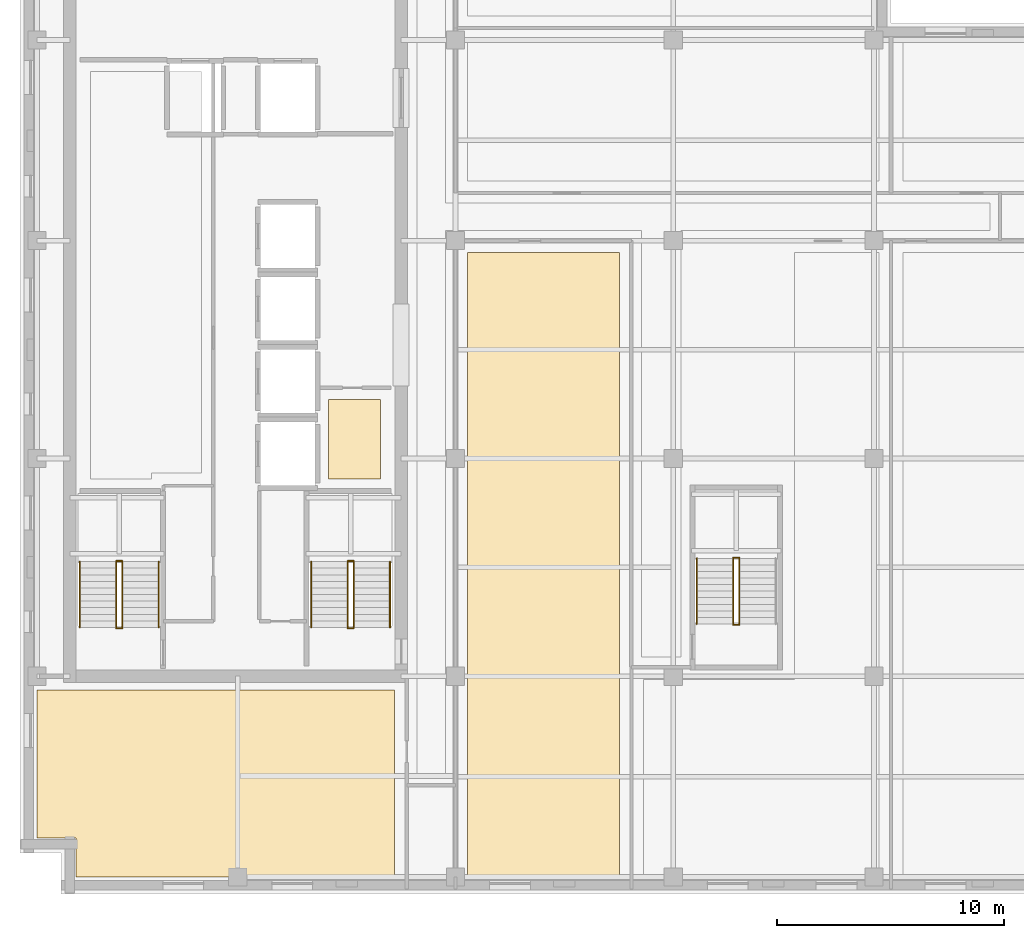
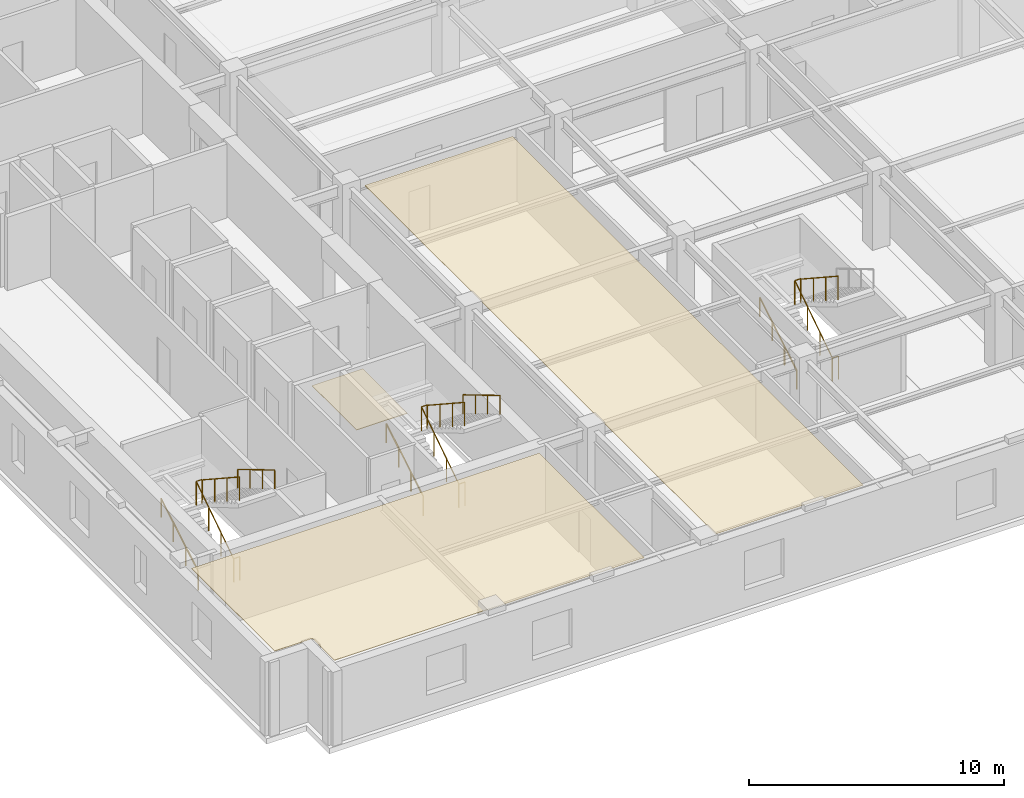
# One storey, part 8 of 12: 17 railings, 3 coverings.
"""IFC4 building model written with IfcOpenShell, lengths in metres."""

from ifc_helpers import new_model, si_unit, direction, frame, origin, origin_2d, place, context, subcontext, project, spatial, polyline, circle, outline, extrude, material, layer, layer_set, type_object, element, save


model = new_model("IFC4")

# Units and contexts
model_context = context("Model", 3, precision=1e-05, world=origin(), true_north=direction((0.0, 1.0)))
body_context = subcontext(model_context, "Body", "Model", "MODEL_VIEW")
ifc_project = project(units=[si_unit("LENGTHUNIT", "METRE"), si_unit("AREAUNIT", "SQUARE_METRE"), si_unit("VOLUMEUNIT", "CUBIC_METRE"), si_unit("PLANEANGLEUNIT", "RADIAN"), si_unit("MASSUNIT", "GRAM", prefix="KILO")], contexts=[model_context])

# Site, building, storey
site_placement = place(None, origin())
site = spatial("IfcSite", under=ifc_project, at=site_placement, CompositionType="ELEMENT")
building_placement = place(site_placement, origin())
building = spatial("IfcBuilding", under=site, at=building_placement, Name="Norrvale University Quadrangle", CompositionType="ELEMENT")
storey_placement = place(building_placement, frame((0.0, 0.0, 244.60009765625)))
storey = spatial("IfcBuildingStorey", under=building, at=storey_placement, Name="L62", CompositionType="ELEMENT", Elevation=244.60009765625)

# Coverings
ifc_material_1 = material(Name="Perforated Acoustic Mineral Ceiling")
ifc_layer_1 = layer(ifc_material_1, 0.02490234375, Name="Perforated Acoustic Mineral Ceiling")
ifc_layer_set_1 = layer_set([ifc_layer_1], Name="Perforated Acoustic Mineral Ceiling")
covering_type_1 = type_object("IfcCoveringType", Name="Covering Acoustic Ceiling 25", PredefinedType="CEILING", material=ifc_layer_set_1)
covering_1_placement = place(storey_placement, frame((0.0, 0.0, 3.514892578125)))
element("IfcCovering", 1, at=covering_1_placement, inside=storey, type_object=covering_type_1, Name="Acoustic Ceiling RM-L62-SW1", PredefinedType="CEILING", context=body_context, shape_type="SweptSolid", body=[
    extrude(outline(polyline([(0.75, 9.0), (16.5, 9.0), (16.5, 0.75), (2.469970703125, 0.75), (2.469970703125, 2.469970703125), (0.75, 2.469970703125), (0.75, 9.0)])), origin(), (0.0, 0.0, 1.0), 0.02490234375),
])
covering_2_placement = place(storey_placement, frame((0.0, 0.0, 3.514892578125)))
element("IfcCovering", 2, at=covering_2_placement, inside=storey, type_object=covering_type_1, Name="Acoustic Ceiling RM-L62-SE1", PredefinedType="CEILING", context=body_context, shape_type="SweptSolid", body=[
    extrude(outline(polyline([(19.72998046875, 28.27001953125), (26.419921875, 28.27001953125), (26.419921875, 0.75), (19.72998046875, 0.75), (19.72998046875, 28.27001953125)])), origin(), (0.0, 0.0, 1.0), 0.02490234375),
])
ifc_material_2 = material(Name="Polished Terrazzo Flooring")
ifc_layer_2 = layer(ifc_material_2, 0.02490234375, Name="Polished Terrazzo Flooring")
ifc_layer_set_2 = layer_set([ifc_layer_2], Name="Polished Terrazzo Flooring")
covering_type_2 = type_object("IfcCoveringType", Name="Covering Terrazzo Floor 30", PredefinedType="FLOORING", material=ifc_layer_set_2)
covering_3_placement = place(storey_placement, origin())
element("IfcCovering", 3, at=covering_3_placement, inside=storey, type_object=covering_type_2, Name="Terrazzo Flooring RM-L62-JAN", PredefinedType="FLOORING", context=body_context, shape_type="SweptSolid", body=[
    extrude(outline(polyline([(13.60009765625, 18.300048828125), (13.60009765625, 21.800048828125), (15.89990234375, 21.800048828125), (15.89990234375, 18.300048828125), (13.60009765625, 18.300048828125)])), origin(), (0.0, 0.0, 1.0), 0.02490234375),
])

# Railings
ifc_material_3 = material(Name="Steel 350W Painted Balustrade", Category="steel")
railing_type_1 = type_object("IfcRailingType", Name="Railing Stair Guard 1100", PredefinedType="GUARDRAIL", material=ifc_material_3)
for number, where, name in (
    (4, (4.239990234375, 11.719970703125, 0.0), "Stair Floor Well Guard ST-01 L62"),
    (5, (4.239990234375, 14.679931640625, 1.89990234375), "Stair Mid-Landing Slot Guard ST-01 L62"),
):
    element("IfcRailing", number, at=place(storey_placement, frame(where)), inside=storey, type_object=railing_type_1, Name=name, PredefinedType="GUARDRAIL", context=body_context, shape_type="SweptSolid", body=[
        extrude(circle(Radius=0.02392578125, at=origin_2d()), frame((0.0, 0.0, 1.1259765625), z_axis=(1.0, 0.0, 0.0), x_axis=(0.0, 1.0, 0.0)), (0.0, 0.0, 1.0), 0.27001953125),
        extrude(circle(Radius=0.02099609375, at=origin_2d()), origin(), (0.0, 0.0, 1.0), 1.101806640625),
        extrude(circle(Radius=0.02099609375, at=origin_2d()), frame((0.27001953125, 0.0, 0.0)), (0.0, 0.0, 1.0), 1.101806640625),
    ])
railing_1_placement = place(storey_placement, frame((4.239990234375, 11.75, 0.0)))
element("IfcRailing", 6, at=railing_1_placement, inside=storey, type_object=railing_type_1, Name="Stair Lower Flight Inner Guard ST-01 L62", PredefinedType="GUARDRAIL", context=body_context, shape_type="SweptSolid", body=[
    extrude(circle(Radius=0.02392578125, at=origin_2d()), frame((0.0, 0.0, 1.1259765625), z_axis=(0.0, 0.836465582154, 0.548019461216), x_axis=(-1.0, 0.0, 0.0)), (0.0, 0.0, 1.0), 3.466796875),
    extrude(circle(Radius=0.02099609375, at=origin_2d()), origin(), (0.0, 0.0, 1.0), 1.101806640625),
    extrude(circle(Radius=0.02099609375, at=origin_2d()), frame((0.0, 0.966552734375, 0.63330078125)), (0.0, 0.0, 1.0), 1.101806640625),
    extrude(circle(Radius=0.02099609375, at=origin_2d()), frame((0.0, 1.933349609375, 1.2666015625)), (0.0, 0.0, 1.0), 1.101806640625),
    extrude(circle(Radius=0.02099609375, at=origin_2d()), frame((0.0, 2.89990234375, 1.89990234375)), (0.0, 0.0, 1.0), 1.101806640625),
])
railing_2_placement = place(storey_placement, frame((4.510009765625, 14.64990234375, 1.89990234375)))
element("IfcRailing", 7, at=railing_2_placement, inside=storey, type_object=railing_type_1, Name="Stair Upper Flight Inner Guard ST-01 L62", PredefinedType="GUARDRAIL", context=body_context, shape_type="SweptSolid", body=[
    extrude(circle(Radius=0.02392578125, at=origin_2d()), frame((0.0, 0.0, 1.1259765625), z_axis=(0.0, -0.836465582154, 0.548019461216), x_axis=(1.0, 0.0, 0.0)), (0.0, 0.0, 1.0), 3.466796875),
    extrude(circle(Radius=0.02099609375, at=origin_2d()), origin(), (0.0, 0.0, 1.0), 1.101806640625),
    extrude(circle(Radius=0.02099609375, at=origin_2d()), frame((0.0, -0.966552734375, 0.63330078125)), (0.0, 0.0, 1.0), 1.101806640625),
    extrude(circle(Radius=0.02099609375, at=origin_2d()), frame((0.0, -1.933349609375, 1.2666015625)), (0.0, 0.0, 1.0), 1.101806640625),
    extrude(circle(Radius=0.02099609375, at=origin_2d()), frame((0.0, -2.89990234375, 1.89990234375)), (0.0, 0.0, 1.0), 1.101806640625),
])
for number, where, name in (
    (8, (14.43994140625, 11.719970703125, 0.0), "Stair Floor Well Guard ST-03 L62"),
    (9, (14.43994140625, 14.679931640625, 1.89990234375), "Stair Mid-Landing Slot Guard ST-03 L62"),
):
    element("IfcRailing", number, at=place(storey_placement, frame(where)), inside=storey, type_object=railing_type_1, Name=name, PredefinedType="GUARDRAIL", context=body_context, shape_type="SweptSolid", body=[
        extrude(circle(Radius=0.02392578125, at=origin_2d()), frame((0.0, 0.0, 1.1259765625), z_axis=(1.0, 0.0, 0.0), x_axis=(0.0, 1.0, 0.0)), (0.0, 0.0, 1.0), 0.27001953125),
        extrude(circle(Radius=0.02099609375, at=origin_2d()), origin(), (0.0, 0.0, 1.0), 1.101806640625),
        extrude(circle(Radius=0.02099609375, at=origin_2d()), frame((0.27001953125, 0.0, 0.0)), (0.0, 0.0, 1.0), 1.101806640625),
    ])
railing_3_placement = place(storey_placement, frame((14.43994140625, 11.75, 0.0)))
element("IfcRailing", 10, at=railing_3_placement, inside=storey, type_object=railing_type_1, Name="Stair Lower Flight Inner Guard ST-03 L62", PredefinedType="GUARDRAIL", context=body_context, shape_type="SweptSolid", body=[
    extrude(circle(Radius=0.02392578125, at=origin_2d()), frame((0.0, 0.0, 1.1259765625), z_axis=(0.0, 0.836465582154, 0.548019461216), x_axis=(-1.0, 0.0, 0.0)), (0.0, 0.0, 1.0), 3.466796875),
    extrude(circle(Radius=0.02099609375, at=origin_2d()), origin(), (0.0, 0.0, 1.0), 1.101806640625),
    extrude(circle(Radius=0.02099609375, at=origin_2d()), frame((0.0, 0.966552734375, 0.63330078125)), (0.0, 0.0, 1.0), 1.101806640625),
    extrude(circle(Radius=0.02099609375, at=origin_2d()), frame((0.0, 1.933349609375, 1.2666015625)), (0.0, 0.0, 1.0), 1.101806640625),
    extrude(circle(Radius=0.02099609375, at=origin_2d()), frame((0.0, 2.89990234375, 1.89990234375)), (0.0, 0.0, 1.0), 1.101806640625),
])
railing_4_placement = place(storey_placement, frame((14.7099609375, 14.64990234375, 1.89990234375)))
element("IfcRailing", 11, at=railing_4_placement, inside=storey, type_object=railing_type_1, Name="Stair Upper Flight Inner Guard ST-03 L62", PredefinedType="GUARDRAIL", context=body_context, shape_type="SweptSolid", body=[
    extrude(circle(Radius=0.02392578125, at=origin_2d()), frame((0.0, 0.0, 1.1259765625), z_axis=(0.0, -0.836465582154, 0.548019461216), x_axis=(1.0, 0.0, 0.0)), (0.0, 0.0, 1.0), 3.466796875),
    extrude(circle(Radius=0.02099609375, at=origin_2d()), origin(), (0.0, 0.0, 1.0), 1.101806640625),
    extrude(circle(Radius=0.02099609375, at=origin_2d()), frame((0.0, -0.966552734375, 0.63330078125)), (0.0, 0.0, 1.0), 1.101806640625),
    extrude(circle(Radius=0.02099609375, at=origin_2d()), frame((0.0, -1.933349609375, 1.2666015625)), (0.0, 0.0, 1.0), 1.101806640625),
    extrude(circle(Radius=0.02099609375, at=origin_2d()), frame((0.0, -2.89990234375, 1.89990234375)), (0.0, 0.0, 1.0), 1.101806640625),
])
for number, where, name in (
    (12, (31.43994140625, 11.8701171875, 0.0), "Stair Floor Well Guard ST-04 L62"),
    (13, (31.43994140625, 14.830078125, 1.89990234375), "Stair Mid-Landing Slot Guard ST-04 L62"),
):
    element("IfcRailing", number, at=place(storey_placement, frame(where)), inside=storey, type_object=railing_type_1, Name=name, PredefinedType="GUARDRAIL", context=body_context, shape_type="SweptSolid", body=[
        extrude(circle(Radius=0.02392578125, at=origin_2d()), frame((0.0, 0.0, 1.1259765625), z_axis=(1.0, 0.0, 0.0), x_axis=(0.0, 1.0, 0.0)), (0.0, 0.0, 1.0), 0.27001953125),
        extrude(circle(Radius=0.02099609375, at=origin_2d()), origin(), (0.0, 0.0, 1.0), 1.101806640625),
        extrude(circle(Radius=0.02099609375, at=origin_2d()), frame((0.27001953125, 0.0, 0.0)), (0.0, 0.0, 1.0), 1.101806640625),
    ])
railing_5_placement = place(storey_placement, frame((31.43994140625, 11.89990234375, 0.0)))
element("IfcRailing", 14, at=railing_5_placement, inside=storey, type_object=railing_type_1, Name="Stair Lower Flight Inner Guard ST-04 L62", PredefinedType="GUARDRAIL", context=body_context, shape_type="SweptSolid", body=[
    extrude(circle(Radius=0.02392578125, at=origin_2d()), frame((0.0, 0.0, 1.1259765625), z_axis=(0.0, 0.836486729621, 0.547987181573), x_axis=(-1.0, 0.0, 0.0)), (0.0, 0.0, 1.0), 3.467041015625),
    extrude(circle(Radius=0.02099609375, at=origin_2d()), origin(), (0.0, 0.0, 1.0), 1.101806640625),
    extrude(circle(Radius=0.02099609375, at=origin_2d()), frame((0.0, 0.966796875, 0.63330078125)), (0.0, 0.0, 1.0), 1.101806640625),
    extrude(circle(Radius=0.02099609375, at=origin_2d()), frame((0.0, 1.933349609375, 1.2666015625)), (0.0, 0.0, 1.0), 1.101806640625),
    extrude(circle(Radius=0.02099609375, at=origin_2d()), frame((0.0, 2.900146484375, 1.89990234375)), (0.0, 0.0, 1.0), 1.101806640625),
])
railing_6_placement = place(storey_placement, frame((31.7099609375, 14.800048828125, 1.89990234375)))
element("IfcRailing", 15, at=railing_6_placement, inside=storey, type_object=railing_type_1, Name="Stair Upper Flight Inner Guard ST-04 L62", PredefinedType="GUARDRAIL", context=body_context, shape_type="SweptSolid", body=[
    extrude(circle(Radius=0.02392578125, at=origin_2d()), frame((0.0, 0.0, 1.1259765625), z_axis=(0.0, -0.836486729621, 0.547987181573), x_axis=(1.0, 0.0, 0.0)), (0.0, 0.0, 1.0), 3.467041015625),
    extrude(circle(Radius=0.02099609375, at=origin_2d()), origin(), (0.0, 0.0, 1.0), 1.101806640625),
    extrude(circle(Radius=0.02099609375, at=origin_2d()), frame((0.0, -0.966796875, 0.63330078125)), (0.0, 0.0, 1.0), 1.101806640625),
    extrude(circle(Radius=0.02099609375, at=origin_2d()), frame((0.0, -1.933349609375, 1.2666015625)), (0.0, 0.0, 1.0), 1.101806640625),
    extrude(circle(Radius=0.02099609375, at=origin_2d()), frame((0.0, -2.900146484375, 1.89990234375)), (0.0, 0.0, 1.0), 1.101806640625),
])
ifc_material_4 = material(Name="Stainless Steel 316L Handrail", Category="steel")
railing_type_2 = type_object("IfcRailingType", Name="Railing Stair Handrail 920", PredefinedType="HANDRAIL", material=ifc_material_4)
railing_7_placement = place(storey_placement, frame((2.639892578125, 11.75, 0.172607421875)))
element("IfcRailing", 16, at=railing_7_placement, inside=storey, type_object=railing_type_2, Name="Stair Lower Flight Handrail ST-01 L62", PredefinedType="HANDRAIL", context=body_context, shape_type="SweptSolid", body=[
    extrude(circle(Radius=0.02392578125, at=origin_2d()), frame((0.0, 0.0, 0.89599609375), z_axis=(0.0, 0.859141464434, 0.511738159696), x_axis=(-1.0, 0.0, 0.0)), (0.0, 0.0, 1.0), 3.375244140625),
    extrude(circle(Radius=0.02099609375, at=origin_2d()), origin(), (0.0, 0.0, 1.0), 0.871826171875),
    extrude(circle(Radius=0.02099609375, at=origin_2d()), frame((0.0, 0.966552734375, 0.57568359375)), (0.0, 0.0, 1.0), 0.871826171875),
    extrude(circle(Radius=0.02099609375, at=origin_2d()), frame((0.0, 1.933349609375, 1.151611328125)), (0.0, 0.0, 1.0), 0.871826171875),
    extrude(circle(Radius=0.02099609375, at=origin_2d()), frame((0.0, 2.89990234375, 1.727294921875)), (0.0, 0.0, 1.0), 0.871826171875),
])
railing_8_placement = place(storey_placement, frame((6.110107421875, 14.64990234375, 2.072509765625)))
element("IfcRailing", 17, at=railing_8_placement, inside=storey, type_object=railing_type_2, Name="Stair Upper Flight Handrail ST-01 L62", PredefinedType="HANDRAIL", context=body_context, shape_type="SweptSolid", body=[
    extrude(circle(Radius=0.02392578125, at=origin_2d()), frame((0.0, 0.0, 0.89599609375), z_axis=(0.0, -0.859141464434, 0.511738159696), x_axis=(1.0, 0.0, 0.0)), (0.0, 0.0, 1.0), 3.375244140625),
    extrude(circle(Radius=0.02099609375, at=origin_2d()), origin(), (0.0, 0.0, 1.0), 0.871826171875),
    extrude(circle(Radius=0.02099609375, at=origin_2d()), frame((0.0, -0.966552734375, 0.57568359375)), (0.0, 0.0, 1.0), 0.871826171875),
    extrude(circle(Radius=0.02099609375, at=origin_2d()), frame((0.0, -1.933349609375, 1.151611328125)), (0.0, 0.0, 1.0), 0.871826171875),
    extrude(circle(Radius=0.02099609375, at=origin_2d()), frame((0.0, -2.89990234375, 1.727294921875)), (0.0, 0.0, 1.0), 0.871826171875),
])
railing_9_placement = place(storey_placement, frame((12.840087890625, 11.75, 0.172607421875)))
element("IfcRailing", 18, at=railing_9_placement, inside=storey, type_object=railing_type_2, Name="Stair Lower Flight Handrail ST-03 L62", PredefinedType="HANDRAIL", context=body_context, shape_type="SweptSolid", body=[
    extrude(circle(Radius=0.02392578125, at=origin_2d()), frame((0.0, 0.0, 0.89599609375), z_axis=(0.0, 0.859141464434, 0.511738159696), x_axis=(-1.0, 0.0, 0.0)), (0.0, 0.0, 1.0), 3.375244140625),
    extrude(circle(Radius=0.02099609375, at=origin_2d()), origin(), (0.0, 0.0, 1.0), 0.871826171875),
    extrude(circle(Radius=0.02099609375, at=origin_2d()), frame((0.0, 0.966552734375, 0.57568359375)), (0.0, 0.0, 1.0), 0.871826171875),
    extrude(circle(Radius=0.02099609375, at=origin_2d()), frame((0.0, 1.933349609375, 1.151611328125)), (0.0, 0.0, 1.0), 0.871826171875),
    extrude(circle(Radius=0.02099609375, at=origin_2d()), frame((0.0, 2.89990234375, 1.727294921875)), (0.0, 0.0, 1.0), 0.871826171875),
])
railing_10_placement = place(storey_placement, frame((16.31005859375, 14.64990234375, 2.072509765625)))
element("IfcRailing", 19, at=railing_10_placement, inside=storey, type_object=railing_type_2, Name="Stair Upper Flight Handrail ST-03 L62", PredefinedType="HANDRAIL", context=body_context, shape_type="SweptSolid", body=[
    extrude(circle(Radius=0.02392578125, at=origin_2d()), frame((0.0, 0.0, 0.89599609375), z_axis=(0.0, -0.859141464434, 0.511738159696), x_axis=(1.0, 0.0, 0.0)), (0.0, 0.0, 1.0), 3.375244140625),
    extrude(circle(Radius=0.02099609375, at=origin_2d()), origin(), (0.0, 0.0, 1.0), 0.871826171875),
    extrude(circle(Radius=0.02099609375, at=origin_2d()), frame((0.0, -0.966552734375, 0.57568359375)), (0.0, 0.0, 1.0), 0.871826171875),
    extrude(circle(Radius=0.02099609375, at=origin_2d()), frame((0.0, -1.933349609375, 1.151611328125)), (0.0, 0.0, 1.0), 0.871826171875),
    extrude(circle(Radius=0.02099609375, at=origin_2d()), frame((0.0, -2.89990234375, 1.727294921875)), (0.0, 0.0, 1.0), 0.871826171875),
])
railing_11_placement = place(storey_placement, frame((29.840087890625, 11.89990234375, 0.172607421875)))
element("IfcRailing", 20, at=railing_11_placement, inside=storey, type_object=railing_type_2, Name="Stair Lower Flight Handrail ST-04 L62", PredefinedType="HANDRAIL", context=body_context, shape_type="SweptSolid", body=[
    extrude(circle(Radius=0.02392578125, at=origin_2d()), frame((0.0, 0.0, 0.89599609375), z_axis=(0.0, 0.859160404282, 0.51170636083), x_axis=(-1.0, 0.0, 0.0)), (0.0, 0.0, 1.0), 3.37548828125),
    extrude(circle(Radius=0.02099609375, at=origin_2d()), origin(), (0.0, 0.0, 1.0), 0.871826171875),
    extrude(circle(Radius=0.02099609375, at=origin_2d()), frame((0.0, 0.966796875, 0.57568359375)), (0.0, 0.0, 1.0), 0.871826171875),
    extrude(circle(Radius=0.02099609375, at=origin_2d()), frame((0.0, 1.933349609375, 1.151611328125)), (0.0, 0.0, 1.0), 0.871826171875),
    extrude(circle(Radius=0.02099609375, at=origin_2d()), frame((0.0, 2.900146484375, 1.727294921875)), (0.0, 0.0, 1.0), 0.871826171875),
])

save(model, "model.ifc")
